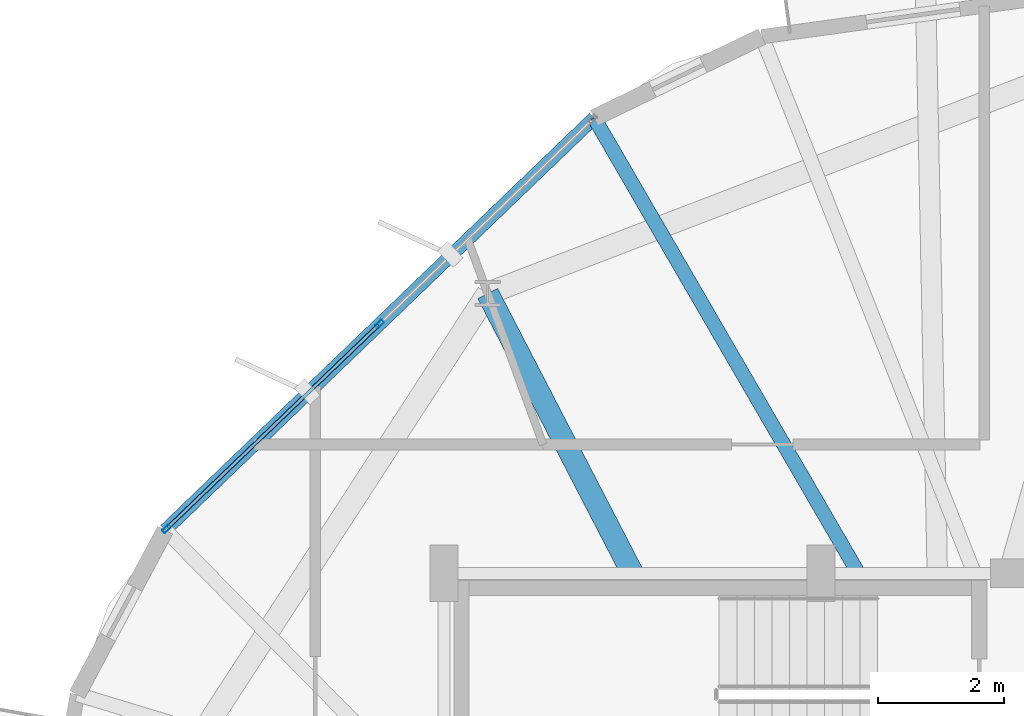
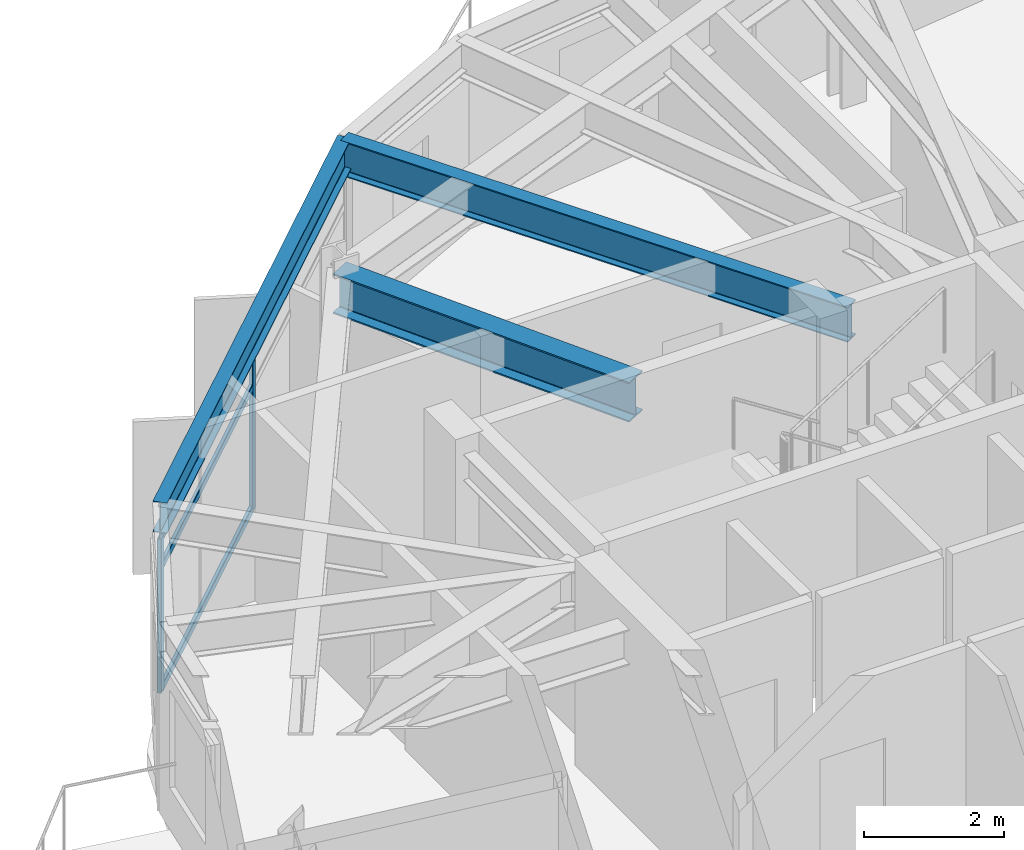
# One storey, part 13 of 26: 5 members, 3 beams, 1 element without a shape of its own.
"""IFC4 building model written with IfcOpenShell, lengths in metres."""

from ifc_helpers import new_model, si_unit, direction, frame, origin, origin_2d, place, context, subcontext, project, spatial, hollow_rectangle, i_section, extrude, material, layer, layer_set, material_profile, profile_set, type_object, element, aggregate, save


model = new_model("IFC4")

# Units and contexts
model_context = context("Model", 3, precision=1e-05, world=origin(), true_north=direction((0.0, 1.0)))
body_context = subcontext(model_context, "Body", "Model", "MODEL_VIEW")
ifc_project = project(units=[si_unit("LENGTHUNIT", "METRE"), si_unit("AREAUNIT", "SQUARE_METRE"), si_unit("VOLUMEUNIT", "CUBIC_METRE"), si_unit("PLANEANGLEUNIT", "RADIAN"), si_unit("MASSUNIT", "GRAM", prefix="KILO")], contexts=[model_context])

# Site, building, storey
site_placement = place(None, origin())
site = spatial("IfcSite", under=ifc_project, at=site_placement, CompositionType="ELEMENT")
building_placement = place(site_placement, origin())
building = spatial("IfcBuilding", under=site, at=building_placement, Name="Soratama Intermodal Tower", CompositionType="ELEMENT")
storey_placement = place(building_placement, frame((0.0, 0.0, 194.199951171875)))
storey = spatial("IfcBuildingStorey", under=building, at=storey_placement, Name="L48", CompositionType="ELEMENT", Elevation=194.199951171875)

# Beams
ifc_material_1 = material(Name="Structural steel ASTM A992 Grade 50", Category="steel")
ifc_material_profile_1 = material_profile(ifc_material_1, i_section(OverallWidth=0.35498046875, OverallDepth=0.695068359375, WebThickness=0.015380859375, FlangeThickness=0.02490234375, FilletRadius=0.01611328125, at=origin_2d()), Name="W27X146")
ifc_profile_set_1 = profile_set([ifc_material_profile_1], Name="Structural steel ASTM A992 Grade 50")
beam_type_1 = type_object("IfcBeamType", Name="BM-RING-W27X146", PredefinedType="BEAM", material=ifc_profile_set_1)
beam_1_placement = place(storey_placement, frame((35.60009765625, 35.0, 2.95263671875), z_axis=(-0.459552673174, 0.888150516849, 0.0), x_axis=(-0.888150516849, -0.459552673174, 0.0)))
element("IfcBeam", 1, at=beam_1_placement, inside=storey, type_object=beam_type_1, Name="BM-L48-RAD-04", PredefinedType="BEAM", context=body_context, shape_type="SweptSolid", body=[
    extrude(i_section(OverallWidth=0.35498046875, OverallDepth=0.695068359375, WebThickness=0.015380859375, FlangeThickness=0.02490234375, FilletRadius=0.01611328125, at=origin_2d()), origin(), (0.0, 0.0, 1.0), 5.01611328125),
])
ifc_material_2 = material(Name="Structural steel ASTM A992 Grade 50", Category="steel")
ifc_material_profile_2 = material_profile(ifc_material_2, i_section(OverallWidth=0.2099609375, OverallDepth=0.537109375, WebThickness=0.010986328125, FlangeThickness=0.017333984375, FilletRadius=0.012939453125, at=origin_2d()), Name="W21X68")
ifc_profile_set_2 = profile_set([ifc_material_profile_2], Name="Structural steel ASTM A992 Grade 50")
beam_type_2 = type_object("IfcBeamType", Name="BM-SPN-W21X68", PredefinedType="SPANDREL", material=ifc_profile_set_2)
beam_2_placement = place(storey_placement, frame((34.989990234375, 42.2509765625, 3.031494140625), z_axis=(-0.72101531682, -0.692919124365, 0.0), x_axis=(0.692919124365, -0.72101531682, 0.0)))
element("IfcBeam", 2, at=beam_2_placement, inside=storey, type_object=beam_type_2, Name="BS-L48-F03", PredefinedType="SPANDREL", context=body_context, shape_type="SweptSolid", body=[
    extrude(i_section(OverallWidth=0.2099609375, OverallDepth=0.537109375, WebThickness=0.010986328125, FlangeThickness=0.017333984375, FilletRadius=0.012939453125, at=origin_2d()), origin(), (0.0, 0.0, 1.0), 9.471435546875),
])
ifc_material_3 = material(Name="Structural steel ASTM A992 Grade 50", Category="steel")
ifc_material_profile_3 = material_profile(ifc_material_3, i_section(OverallWidth=0.22900390625, OverallDepth=0.612060546875, WebThickness=0.011962890625, FlangeThickness=0.01953125, FilletRadius=0.012939453125, at=origin_2d()), Name="W24X84")
ifc_profile_set_3 = profile_set([ifc_material_profile_3], Name="Structural steel ASTM A992 Grade 50")
beam_type_3 = type_object("IfcBeamType", Name="BM-TIE-W24X84", PredefinedType="BEAM", material=ifc_profile_set_3)
beam_3_placement = place(storey_placement, frame((39.177001953125, 35.034912109375, 2.994140625), z_axis=(-0.501870049333, 0.864943034877, 0.0), x_axis=(-0.864943034877, -0.501870049333, 0.0)))
element("IfcBeam", 3, at=beam_3_placement, inside=storey, type_object=beam_type_3, Name="BM-L48-TIE0-03", PredefinedType="BEAM", context=body_context, shape_type="SweptSolid", body=[
    extrude(i_section(OverallWidth=0.22900390625, OverallDepth=0.612060546875, WebThickness=0.011962890625, FlangeThickness=0.01953125, FilletRadius=0.012939453125, at=origin_2d()), origin(), (0.0, 0.0, 1.0), 8.3427734375),
])

# Curtain wall, members
ifc_material_4 = material(Name="Double-glazed aluminium curtain wall", Category="aluminium")
ifc_layer = layer(ifc_material_4, 0.159912109375)
ifc_layer_set = layer_set([ifc_layer], Name="Double-glazed aluminium curtain wall")
curtain_wall_type = type_object("IfcCurtainWallType", Name="CW-SYS-5", PredefinedType="NOTDEFINED", material=ifc_layer_set)
curtain_wall_placement = place(storey_placement, origin())
curtain_wall = element("IfcCurtainWall", 4, at=curtain_wall_placement, inside=storey, type_object=curtain_wall_type, Name="L48 Faceted Curtain Wall F03", PredefinedType="NOTDEFINED")
ifc_material_5 = material(Name="Anodised aluminium AA 6063-T6", Category="aluminium")
ifc_material_profile_4 = material_profile(ifc_material_5, hollow_rectangle(XDim=0.06494140625, YDim=0.139892578125, WallThickness=0.0048828125, InnerFilletRadius=0.0048828125, OuterFilletRadius=0.010009765625, at=origin_2d()), Name="CWM140X65X5")
ifc_profile_set_4 = profile_set([ifc_material_profile_4], Name="Anodised aluminium AA 6063-T6")
member_type_1 = type_object("IfcMemberType", Name="MT-CWM-5", PredefinedType="MULLION", material=ifc_profile_set_4)
member_1_placement = place(storey_placement, frame((31.575439453125, 38.9697265625, 0.0), z_axis=(0.0, 0.0, 1.0), x_axis=(0.69289789426, -0.721035719039, 0.0)))
member_1 = element("IfcMember", 5, at=member_1_placement, type_object=member_type_1, Name="CW-5 mullion 2", PredefinedType="MULLION", context=body_context, shape_type="SweptSolid", body=[
    extrude(hollow_rectangle(XDim=0.06494140625, YDim=0.139892578125, WallThickness=0.0048828125, InnerFilletRadius=0.0048828125, OuterFilletRadius=0.010009765625, at=origin_2d()), origin(), (0.0, 0.0, 1.0), 2.678955078125),
])
member_2_placement = place(storey_placement, frame((28.182373046875, 35.709228515625, 0.0), z_axis=(0.0, 0.0, 1.0), x_axis=(0.69289789426, -0.721035719039, 0.0)))
member_2 = element("IfcMember", 6, at=member_2_placement, type_object=member_type_1, Name="CW-5 mullion 3", PredefinedType="MULLION", context=body_context, shape_type="SweptSolid", body=[
    extrude(hollow_rectangle(XDim=0.06494140625, YDim=0.139892578125, WallThickness=0.0048828125, InnerFilletRadius=0.0048828125, OuterFilletRadius=0.010009765625, at=origin_2d()), origin(), (0.0, 0.0, 1.0), 2.678955078125),
])
ifc_material_6 = material(Name="Anodised aluminium AA 6063-T6", Category="aluminium")
ifc_material_profile_5 = material_profile(ifc_material_6, hollow_rectangle(XDim=0.06005859375, YDim=0.1298828125, WallThickness=0.0048828125, InnerFilletRadius=0.0048828125, OuterFilletRadius=0.010009765625, at=origin_2d()), Name="CWT130X60X5")
ifc_profile_set_5 = profile_set([ifc_material_profile_5], Name="Anodised aluminium AA 6063-T6")
member_type_2 = type_object("IfcMemberType", Name="TT-CWT-2", PredefinedType="USERDEFINED", material=ifc_profile_set_5)
member_3_placement = place(storey_placement, frame((31.5537109375, 38.948974609375, 0.030029296875), z_axis=(-0.721024909665, -0.692909142415, 0.0), x_axis=(0.692909142415, -0.721024909665, 0.0)))
member_3 = element("IfcMember", 7, at=member_3_placement, type_object=member_type_2, Name="CW-5 transom 2.1", ObjectType="TRANSOM", PredefinedType="USERDEFINED", context=body_context, shape_type="SweptSolid", body=[
    extrude(hollow_rectangle(XDim=0.06005859375, YDim=0.1298828125, WallThickness=0.0048828125, InnerFilletRadius=0.0048828125, OuterFilletRadius=0.010009765625, at=origin_2d()), origin(), (0.0, 0.0, 1.0), 4.6455078125),
])
member_4_placement = place(storey_placement, frame((31.5537109375, 38.948974609375, 2.150146484375), z_axis=(-0.721024909665, -0.692909142415, 0.0), x_axis=(0.692909142415, -0.721024909665, 0.0)))
member_4 = element("IfcMember", 8, at=member_4_placement, type_object=member_type_2, Name="CW-5 transom 2.2", ObjectType="TRANSOM", PredefinedType="USERDEFINED", context=body_context, shape_type="SweptSolid", body=[
    extrude(hollow_rectangle(XDim=0.06005859375, YDim=0.1298828125, WallThickness=0.0048828125, InnerFilletRadius=0.0048828125, OuterFilletRadius=0.010009765625, at=origin_2d()), origin(), (0.0, 0.0, 1.0), 4.6455078125),
])
member_5_placement = place(storey_placement, frame((31.5537109375, 38.948974609375, 2.649169921875), z_axis=(-0.721024909665, -0.692909142415, 0.0), x_axis=(0.692909142415, -0.721024909665, 0.0)))
member_5 = element("IfcMember", 9, at=member_5_placement, type_object=member_type_2, Name="CW-5 transom 2.3", ObjectType="TRANSOM", PredefinedType="USERDEFINED", context=body_context, shape_type="SweptSolid", body=[
    extrude(hollow_rectangle(XDim=0.06005859375, YDim=0.1298828125, WallThickness=0.0048828125, InnerFilletRadius=0.0048828125, OuterFilletRadius=0.010009765625, at=origin_2d()), origin(), (0.0, 0.0, 1.0), 4.6455078125),
])
aggregate(curtain_wall, [member_1, member_2, member_3, member_4, member_5])

save(model, "model.ifc")
